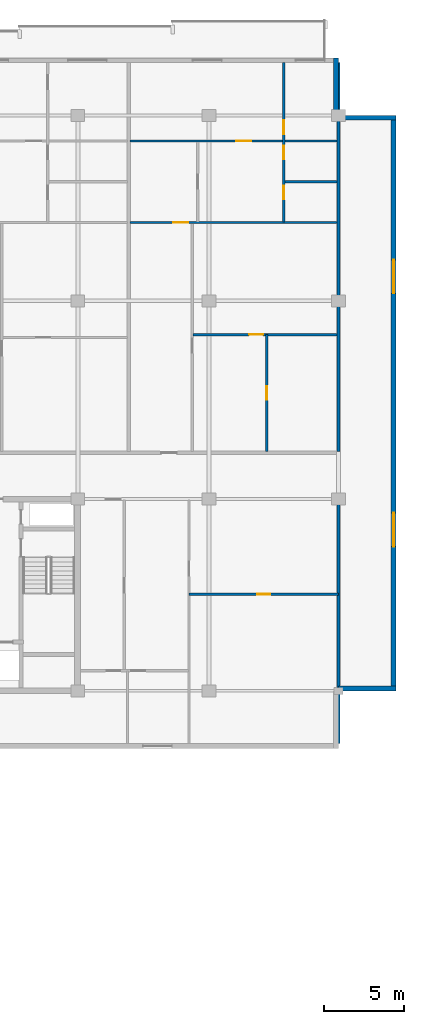
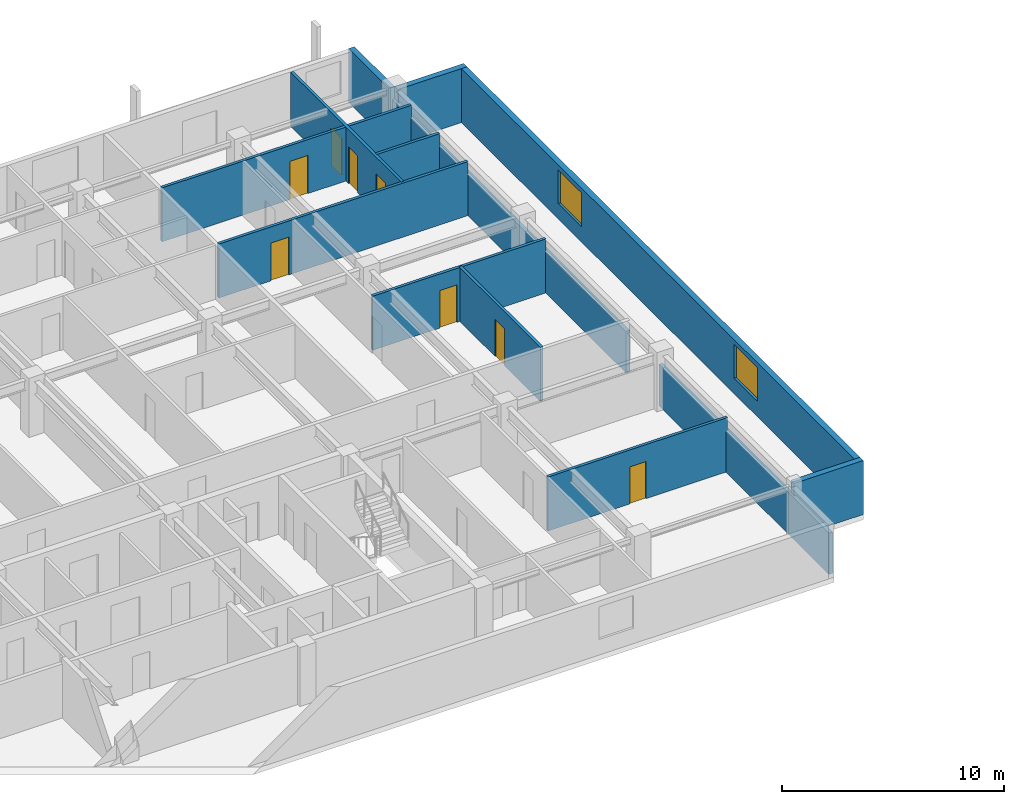
# One storey, part 16 of 22: 13 walls, 8 doors, 2 windows, 10 openings.
"""IFC4 building model written with IfcOpenShell, lengths in metres."""

import ifcopenshell
import ifcopenshell.guid

model = None  # the IFC model being written
_history = None  # IfcOwnerHistory: only IFC2X3 demands one
_inside = {}  # id of a spatial element -> (the spatial element, [elements in it])
_under = {}  # id of a project, library or spatial element -> (it, [spatial elements below it])
_declared = {}  # id of a project -> (the project, [libraries it declares])
_typed = {}  # id of a type object -> (the type object, [elements of that type])
_made_of = {}  # id of a material, layer set ... -> (it, [elements and type objects made of it])


def new_model(schema):
    """Start an empty IFC model of exactly this schema.

    Asked for "IFC4X3", IfcOpenShell would pick the latest addendum, in which some entities
    have other attributes; the version numbers below select the first issue.
    IFC2X3 requires an IfcOwnerHistory on every rooted entity: one is made here for all.
    """
    global model, _history
    if schema == "IFC4X3":
        model = ifcopenshell.file(schema_version=(4, 3, 0, 0))
    else:
        model = ifcopenshell.file(schema=schema)
    _inside.clear()
    _under.clear()
    _declared.clear()
    _typed.clear()
    _made_of.clear()
    _history = None
    if model.schema == "IFC2X3":
        org = make("IfcOrganization", Name="unknown")
        user = make(
            "IfcPersonAndOrganization",
            ThePerson=make("IfcPerson", FamilyName="unknown"),
            TheOrganization=org,
        )
        app = make(
            "IfcApplication",
            ApplicationDeveloper=org,
            Version="unknown",
            ApplicationFullName="unknown",
            ApplicationIdentifier="unknown",
        )
        _history = make(
            "IfcOwnerHistory",
            OwningUser=user,
            OwningApplication=app,
            ChangeAction="ADDED",
            CreationDate=0,
        )
    return model


def make(cls, **values):
    """One entity of the class cls with the attributes given. An attribute that is None is left unset."""
    return model.create_entity(
        cls, **{name: value for name, value in values.items() if value is not None}
    )


def rooted(cls, **values):
    """An entity with a GlobalId (a new one), such as an element, a storey or a relation."""
    return make(cls, GlobalId=ifcopenshell.guid.new(), OwnerHistory=_history, **values)


def si_unit(unit_type, name, prefix=None):
    """IfcSIUnit, for example si_unit("LENGTHUNIT", "METRE", prefix="MILLI")."""
    return make("IfcSIUnit", UnitType=unit_type, Prefix=prefix, Name=name)


def assignment(units):
    """IfcUnitAssignment: the units of a project."""
    return None if units is None else make("IfcUnitAssignment", Units=units)


def point(xyz):
    """IfcCartesianPoint."""
    return None if xyz is None else make("IfcCartesianPoint", Coordinates=xyz)


def direction(xyz):
    """IfcDirection."""
    return None if xyz is None else make("IfcDirection", DirectionRatios=xyz)


def frame(location, z_axis=None, x_axis=None):
    """IfcAxis2Placement3D, a coordinate frame: its origin and axes. An axis left out is left unset."""
    return make(
        "IfcAxis2Placement3D",
        Location=point(location),
        Axis=direction(z_axis),
        RefDirection=direction(x_axis),
    )


def frame_2d(location, x_axis=None):
    """IfcAxis2Placement2D, a coordinate frame in the plane: its origin and x axis."""
    return make(
        "IfcAxis2Placement2D", Location=point(location), RefDirection=direction(x_axis)
    )


def origin():
    """The frame at (0, 0, 0) with its axes left unset."""
    return frame((0.0, 0.0, 0.0))


def place(relative_to, where):
    """IfcLocalPlacement: puts the frame where relative to a parent placement (None: the world)."""
    return make(
        "IfcLocalPlacement", PlacementRelTo=relative_to, RelativePlacement=where
    )


def context(
    kind, dimensions, precision=None, world=None, true_north=None, identifier=None
):
    """IfcGeometricRepresentationContext, for example the 3D "Model" context."""
    return make(
        "IfcGeometricRepresentationContext",
        ContextIdentifier=identifier,
        ContextType=kind,
        CoordinateSpaceDimension=dimensions,
        Precision=precision,
        WorldCoordinateSystem=world,
        TrueNorth=true_north,
    )


def subcontext(parent, identifier, kind, view, scale=None):
    """IfcGeometricRepresentationSubContext, for example "Body" below "Model"."""
    return make(
        "IfcGeometricRepresentationSubContext",
        ContextIdentifier=identifier,
        ContextType=kind,
        ParentContext=parent,
        TargetScale=scale,
        TargetView=view,
    )


def project(units=None, contexts=None):
    """IfcProject with its units and contexts."""
    return rooted(
        "IfcProject",
        Name="project",
        RepresentationContexts=contexts,
        UnitsInContext=assignment(units),
    )


def spatial(cls, under=None, at=None, **own):
    """A site, building, storey or space (cls), placed at a placement, below another one or the project."""
    s = rooted(cls, ObjectPlacement=at, **own)
    if under is not None:
        _under.setdefault(under.id(), (under, []))[1].append(s)
    return s


def profile(cls, at=None, kind="AREA", **sizes):
    """A parametric profile (cls). Its sizes go by their IFC names, for example OverallWidth=200.0."""
    return make(cls, ProfileType=kind, Position=at, **sizes)


def rectangle(**sizes):
    """IfcRectangleProfileDef."""
    return profile("IfcRectangleProfileDef", **sizes)


def extrude(swept, where, along, depth):
    """IfcExtrudedAreaSolid: the profile swept, set in the frame where, extruded along a direction by depth."""
    return make(
        "IfcExtrudedAreaSolid",
        SweptArea=swept,
        Position=where,
        ExtrudedDirection=direction(along),
        Depth=depth,
    )


def shape(context_of_items, identifier, shape_type, items):
    """IfcShapeRepresentation: the items that make up one representation, for example the "Body"."""
    return make(
        "IfcShapeRepresentation",
        ContextOfItems=context_of_items,
        RepresentationIdentifier=identifier,
        RepresentationType=shape_type,
        Items=items,
    )


def material(Name=None, Category=None):
    """IfcMaterial."""
    return make("IfcMaterial", Name=Name, Category=Category)


def layer(
    of_material, thickness, ventilated=None, Name=None, Category=None, Priority=None
):
    """IfcMaterialLayer: one layer of a wall or slab, of a material (None: an air gap)."""
    return make(
        "IfcMaterialLayer",
        Material=of_material,
        LayerThickness=thickness,
        IsVentilated=ventilated,
        Name=Name,
        Category=Category,
        Priority=Priority,
    )


def layer_set(layers, Name=None):
    """IfcMaterialLayerSet."""
    return make("IfcMaterialLayerSet", MaterialLayers=layers, LayerSetName=Name)


def made_of(thing, what):
    """Note that an element or type object is made of a material, layer set ...; save() writes the relation."""
    if what is not None:
        _made_of.setdefault(what.id(), (what, []))[1].append(thing)
    return thing


def type_object(cls, material=None, **own):
    """A type object (cls), such as IfcWallType, which elements share."""
    return made_of(rooted(cls, **own), material)


def element(
    cls,
    number,
    at=None,
    inside=None,
    cuts=None,
    type_object=None,
    material=None,
    context=None,
    identifier="Body",
    shape_type=None,
    held_by="IfcProductDefinitionShape",
    body=None,
    shapes=None,
    **own,
):
    """One element of the class cls, such as IfcWall. Its Tag is "e" and its number.

    at: its placement. inside: the storey or other place that contains it. cuts: it is an
    opening in that element (IfcRelVoidsElement). A single representation is given by context,
    identifier, shape_type and body (its items); several are given by shapes. held_by: the class
    of the entity that holds the representations. save() writes the other relations.
    """
    e = rooted(cls, Tag="e%d" % number, ObjectPlacement=at, **own)
    if body is not None:
        shapes = [shape(context, identifier, shape_type, body)]
    if shapes is not None:
        e.Representation = make(held_by, Representations=shapes)
    if inside is not None:
        _inside.setdefault(inside.id(), (inside, []))[1].append(e)
    if cuts is not None:
        rooted(
            "IfcRelVoidsElement", RelatingBuildingElement=cuts, RelatedOpeningElement=e
        )
    if type_object is not None:
        _typed.setdefault(type_object.id(), (type_object, []))[1].append(e)
    return made_of(e, material)


def fill(opening, filler):
    """IfcRelFillsElement: the door or window that sits in an opening."""
    return rooted(
        "IfcRelFillsElement",
        RelatingOpeningElement=opening,
        RelatedBuildingElement=filler,
    )


def aggregate(whole, parts):
    """IfcRelAggregates: a whole, such as a stair, and the parts it consists of."""
    return rooted("IfcRelAggregates", RelatingObject=whole, RelatedObjects=parts)


def save(model, path):
    """Write the relations noted so far, then the file.

    IfcRelAggregates (storeys below a building ...), IfcRelContainedInSpatialStructure (elements
    in a storey), IfcRelDefinesByType, IfcRelAssociatesMaterial and IfcRelDeclares: one each for
    every whole, place, type object, material and project.
    """
    for whole, parts in _under.values():
        aggregate(whole, parts)
    for where, things in _inside.values():
        rooted(
            "IfcRelContainedInSpatialStructure",
            RelatedElements=things,
            RelatingStructure=where,
        )
    for kind, things in _typed.values():
        rooted("IfcRelDefinesByType", RelatedObjects=things, RelatingType=kind)
    for what, things in _made_of.values():
        rooted("IfcRelAssociatesMaterial", RelatedObjects=things, RelatingMaterial=what)
    for by, libraries in _declared.values():
        rooted("IfcRelDeclares", RelatingContext=by, RelatedDefinitions=libraries)
    model.write(path)


model = new_model("IFC4")

# Units and contexts
model_context = context("Model", 3, precision=1e-05, world=origin(), true_north=direction((0.0, 1.0)))
body_context = subcontext(model_context, "Body", "Model", "MODEL_VIEW")
ifc_project = project(units=[si_unit("LENGTHUNIT", "METRE"), si_unit("AREAUNIT", "SQUARE_METRE"), si_unit("VOLUMEUNIT", "CUBIC_METRE"), si_unit("PLANEANGLEUNIT", "RADIAN"), si_unit("MASSUNIT", "GRAM", prefix="KILO")], contexts=[model_context])

# Site, building, storey
site_placement = place(None, origin())
site = spatial("IfcSite", under=ifc_project, at=site_placement, CompositionType="ELEMENT")
building_placement = place(site_placement, origin())
building = spatial("IfcBuilding", under=site, at=building_placement, Name="Korimba Cascade Residences", CompositionType="ELEMENT")
storey_placement = place(building_placement, frame((0.0, 0.0, 181.60009765625)))
storey = spatial("IfcBuildingStorey", under=building, at=storey_placement, Name="L52", CompositionType="ELEMENT", Elevation=181.60009765625)

# Wall
ifc_material_1 = material(Name="Precast concrete C40/50", Category="concrete")
ifc_layer_1 = layer(ifc_material_1, 0.300048828125)
ifc_layer_set_1 = layer_set([ifc_layer_1], Name="Precast concrete C40/50")
wall_type_1 = type_object("IfcWallType", Name="EW-STONE-300", PredefinedType="STANDARD", material=ifc_layer_set_1)
wall_1_placement = place(storey_placement, frame((128.39990234375, 55.35009765625, 0.0), z_axis=(0.0, 0.0, 1.0), x_axis=(1.0, 0.0, 0.0)))
element("IfcWall", 1, at=wall_1_placement, inside=storey, type_object=wall_type_1, Name="L52 T1 Perimeter Stone Wall E02", PredefinedType="STANDARD", context=body_context, shape_type="SweptSolid", body=[
    extrude(rectangle(XDim=3.60009765625, YDim=0.300048828125, at=frame_2d((1.800048828125, 0.0))), origin(), (0.0, 0.0, 1.0), 2.969970703125),
])

# Wall, openings, windows
wall_2_placement = place(storey_placement, frame((131.85009765625, 55.199951171875, 0.0), z_axis=(0.0, 0.0, 1.0), x_axis=(0.0, 1.0, 0.0)))
wall_2 = element("IfcWall", 2, at=wall_2_placement, inside=storey, type_object=wall_type_1, Name="L52 T1 Perimeter Stone Wall E03", PredefinedType="STANDARD", context=body_context, shape_type="SweptSolid", body=[
    extrude(rectangle(XDim=36.0, YDim=0.300048828125, at=frame_2d((18.0, 0.0))), origin(), (0.0, 0.0, 1.0), 2.969970703125),
])
opening_1_placement = place(wall_2_placement, frame((9.030029296875, 0.0, 0.85009765625)))
opening_1 = element("IfcOpeningElement", 3, at=opening_1_placement, cuts=wall_2, Name="Opening W-03", PredefinedType="OPENING", context=body_context, shape_type="SweptSolid", body=[
    extrude(rectangle(XDim=2.10009765625, YDim=1.85009765625, at=frame_2d((1.050048828125, 0.925048828125))), frame((0.0, 0.16015625, 0.0), z_axis=(0.0, -1.0, 0.0), x_axis=(1.0, 0.0, 0.0)), (0.0, 0.0, 1.0), 0.320068359375),
])
opening_2_placement = place(wall_2_placement, frame((24.8701171875, 0.0, 0.85009765625)))
opening_2 = element("IfcOpeningElement", 4, at=opening_2_placement, cuts=wall_2, Name="Opening W-03", PredefinedType="OPENING", context=body_context, shape_type="SweptSolid", body=[
    extrude(rectangle(XDim=2.10009765625, YDim=1.85009765625, at=frame_2d((1.050048828125, 0.925048828125))), frame((0.0, 0.16015625, 0.0), z_axis=(0.0, -1.0, 0.0), x_axis=(1.0, 0.0, 0.0)), (0.0, 0.0, 1.0), 0.320068359375),
])
ifc_material_2 = material(Name="Double-Glazed Aluminium Window", Category="aluminium")
window_type = type_object("IfcWindowType", Name="WIN-CRN-2100", PartitioningType="DOUBLE_PANEL_HORIZONTAL", PredefinedType="WINDOW", material=ifc_material_2)
window_1_placement = place(opening_1_placement, origin())
window_1 = element("IfcWindow", 5, at=window_1_placement, inside=storey, type_object=window_type, Name="L52 T1 End View Window 3.1", OverallHeight=1.85009765625, OverallWidth=2.10009765625, PartitioningType="DOUBLE_PANEL_HORIZONTAL", PredefinedType="WINDOW", context=body_context, shape_type="SweptSolid", body=[
    extrude(rectangle(XDim=2.10009765625, YDim=1.85009765625, at=frame_2d((1.050048828125, 0.925048828125))), frame((0.0, 0.030029296875, 0.0), z_axis=(0.0, -1.0, 0.0), x_axis=(1.0, 0.0, 0.0)), (0.0, 0.0, 1.0), 0.06005859375),
])
fill(opening_1, window_1)
window_2_placement = place(opening_2_placement, origin())
window_2 = element("IfcWindow", 6, at=window_2_placement, inside=storey, type_object=window_type, Name="L52 T1 End View Window 3.2", OverallHeight=1.85009765625, OverallWidth=2.10009765625, PartitioningType="DOUBLE_PANEL_HORIZONTAL", PredefinedType="WINDOW", context=body_context, shape_type="SweptSolid", body=[
    extrude(rectangle(XDim=2.10009765625, YDim=1.85009765625, at=frame_2d((1.050048828125, 0.925048828125))), frame((0.0, 0.030029296875, 0.0), z_axis=(0.0, -1.0, 0.0), x_axis=(1.0, 0.0, 0.0)), (0.0, 0.0, 1.0), 0.06005859375),
])
fill(opening_2, window_2)

# Walls
for number, where, z_axis, x_axis, name in (
    (7, (132.0, 91.050048828125, 0.0), (0.0, 0.0, 1.0), (-1.0, 0.0, 0.0), "L52 T1 Perimeter Stone Wall E04"),
    (8, (128.25, 91.199951171875, 0.0), (0.0, 0.0, 1.0), (0.0, 1.0, 0.0), "L52 T1 Perimeter Stone Wall E05"),
):
    element("IfcWall", number, at=place(storey_placement, frame(where, z_axis=z_axis, x_axis=x_axis)), inside=storey, type_object=wall_type_1, Name=name, PredefinedType="STANDARD", context=body_context, shape_type="SweptSolid", body=[
        extrude(rectangle(XDim=3.60009765625, YDim=0.300048828125, at=frame_2d((1.800048828125, 0.0))), origin(), (0.0, 0.0, 1.0), 2.969970703125),
    ])
ifc_layer_2 = layer(ifc_material_1, 0.199951171875)
ifc_layer_set_2 = layer_set([ifc_layer_2], Name="Precast concrete C40/50")
wall_type_2 = type_object("IfcWallType", Name="WAL-IT-200", PredefinedType="PARTITIONING", material=ifc_layer_set_2)
wall_3_placement = place(storey_placement, frame((128.39990234375, 51.89990234375, 0.0), z_axis=(0.0, 0.0, 1.0), x_axis=(0.0, 1.0, 0.0)))
element("IfcWall", 9, at=wall_3_placement, inside=storey, type_object=wall_type_2, Name="L52 Partition Wall WAL-L52-T1-FE-WR", PredefinedType="PARTITIONING", context=body_context, shape_type="SweptSolid", body=[
    extrude(rectangle(XDim=15.300048828125, YDim=0.199951171875, at=frame_2d((7.64990234375, 0.0))), origin(), (0.0, 0.0, 1.0), 2.277099609375),
])
wall_4_placement = place(storey_placement, frame((128.39990234375, 70.179931640625, 0.0), z_axis=(0.0, 0.0, 1.0), x_axis=(0.0, 1.0, 0.0)))
element("IfcWall", 10, at=wall_4_placement, inside=storey, type_object=wall_type_2, Name="L52 Partition Wall WAL-L52-T1-BNDWR", PredefinedType="PARTITIONING", context=body_context, shape_type="SweptSolid", body=[
    extrude(rectangle(XDim=24.320068359375, YDim=0.199951171875, at=frame_2d((12.16015625, 0.0))), origin(), (0.0, 0.0, 1.0), 2.277099609375),
])

# Wall, opening, door
ifc_material_3 = material(Name="Insulated Acoustic Stud Partition", Category="gypsum")
ifc_layer_3 = layer(ifc_material_3, 0.14990234375)
ifc_layer_set_3 = layer_set([ifc_layer_3], Name="Insulated Acoustic Stud Partition")
wall_type_3 = type_object("IfcWallType", Name="WAL-PART-150", PredefinedType="PARTITIONING", material=ifc_layer_set_3)
wall_5_placement = place(storey_placement, frame((119.050048828125, 61.25, 0.0), z_axis=(0.0, 0.0, 1.0), x_axis=(1.0, 0.0, 0.0)))
wall_5 = element("IfcWall", 11, at=wall_5_placement, inside=storey, type_object=wall_type_3, Name="L52 Partition Wall WAL-L52-T1-FE-STH", PredefinedType="PARTITIONING", context=body_context, shape_type="SweptSolid", body=[
    extrude(rectangle(XDim=9.349853515625, YDim=0.14990234375, at=frame_2d((4.6748046875, 0.0))), origin(), (0.0, 0.0, 1.0), 2.969970703125),
])
opening_3_placement = place(wall_5_placement, frame((4.2548828125, 0.0, 0.0)))
opening_3 = element("IfcOpeningElement", 12, at=opening_3_placement, cuts=wall_5, Name="Opening D-BT1", PredefinedType="OPENING", context=body_context, shape_type="SweptSolid", body=[
    extrude(rectangle(XDim=0.840087890625, YDim=2.0400390625, at=frame_2d((0.419921875, 1.02001953125))), frame((0.0, 0.0849609375, 0.0), z_axis=(0.0, -1.0, 0.0), x_axis=(1.0, 0.0, 0.0)), (0.0, 0.0, 1.0), 0.169921875),
])
ifc_material_4 = material(Name="Moisture-Resistant Bathroom Timber Door", Category="wood")
door_type_1 = type_object("IfcDoorType", Name="DR-INT-850", OperationType="NOTDEFINED", PredefinedType="DOOR", material=ifc_material_4)
door_1_placement = place(opening_3_placement, origin())
door_1 = element("IfcDoor", 13, at=door_1_placement, inside=storey, type_object=door_type_1, Name="L52-T1-FE Dressing Store Door", OperationType="SINGLE_SWING_RIGHT", OverallHeight=2.0400390625, OverallWidth=0.840087890625, PredefinedType="DOOR", context=body_context, shape_type="SweptSolid", body=[
    extrude(rectangle(XDim=0.840087890625, YDim=2.0400390625, at=frame_2d((0.419921875, 1.02001953125))), frame((0.0, 0.02490234375, 0.0), z_axis=(0.0, -1.0, 0.0), x_axis=(1.0, 0.0, 0.0)), (0.0, 0.0, 1.0), 0.050048828125),
])
fill(opening_3, door_1)

wall_6_placement = place(storey_placement, frame((123.913818359375, 70.159912109375, 0.0), z_axis=(0.0, 0.0, 1.0), x_axis=(0.0, 1.0, 0.0)))
wall_6 = element("IfcWall", 14, at=wall_6_placement, inside=storey, type_object=wall_type_3, Name="L52 Partition Wall WAL-L52-T1-U05-FMV", PredefinedType="PARTITIONING", context=body_context, shape_type="SweptSolid", body=[
    extrude(rectangle(XDim=7.330078125, YDim=0.14990234375, at=frame_2d((3.6650390625, 0.0))), origin(), (0.0, 0.0, 1.0), 2.969970703125),
])
opening_4_placement = place(wall_6_placement, frame((3.2451171875, 0.0, 0.0)))
opening_4 = element("IfcOpeningElement", 15, at=opening_4_placement, cuts=wall_6, Name="Opening D-BT1", PredefinedType="OPENING", context=body_context, shape_type="SweptSolid", body=[
    extrude(rectangle(XDim=0.840087890625, YDim=2.0400390625, at=frame_2d((0.419921875, 1.02001953125))), frame((0.0, 0.0849609375, 0.0), z_axis=(0.0, -1.0, 0.0), x_axis=(1.0, 0.0, 0.0)), (0.0, 0.0, 1.0), 0.169921875),
])
door_2_placement = place(opening_4_placement, origin())
door_2 = element("IfcDoor", 16, at=door_2_placement, inside=storey, type_object=door_type_1, Name="L52-T1-U05 Wardrobe Door", OperationType="SINGLE_SWING_RIGHT", OverallHeight=2.0400390625, OverallWidth=0.840087890625, PredefinedType="DOOR", context=body_context, shape_type="SweptSolid", body=[
    extrude(rectangle(XDim=0.840087890625, YDim=2.0400390625, at=frame_2d((0.419921875, 1.02001953125))), frame((0.0, 0.02490234375, 0.0), z_axis=(0.0, -1.0, 0.0), x_axis=(1.0, 0.0, 0.0)), (0.0, 0.0, 1.0), 0.050048828125),
])
fill(opening_4, door_2)

wall_7_placement = place(storey_placement, frame((119.307373046875, 77.489990234375, 0.0), z_axis=(0.0, 0.0, 1.0), x_axis=(1.0, 0.0, 0.0)))
wall_7 = element("IfcWall", 17, at=wall_7_placement, inside=storey, type_object=wall_type_3, Name="L52 Partition Wall WAL-L52-T1-U05-FMH", PredefinedType="PARTITIONING", context=body_context, shape_type="SweptSolid", body=[
    extrude(rectangle(XDim=9.0126953125, YDim=0.14990234375, at=frame_2d((4.50634765625, 0.0))), origin(), (0.0, 0.0, 1.0), 2.969970703125),
])
opening_5_placement = place(wall_7_placement, frame((3.50634765625, 0.0, 0.0)))
opening_5 = element("IfcOpeningElement", 18, at=opening_5_placement, cuts=wall_7, Name="Opening D-IN2", PredefinedType="OPENING", context=body_context, shape_type="SweptSolid", body=[
    extrude(rectangle(XDim=0.8798828125, YDim=2.06005859375, at=frame_2d((0.43994140625, 1.030029296875))), frame((0.0, 0.0849609375, 0.0), z_axis=(0.0, -1.0, 0.0), x_axis=(1.0, 0.0, 0.0)), (0.0, 0.0, 1.0), 0.169921875),
])
ifc_material_5 = material(Name="Acoustic Timber Bedroom Door", Category="wood")
door_type_2 = type_object("IfcDoorType", Name="DR-INT-880", OperationType="NOTDEFINED", PredefinedType="DOOR", material=ifc_material_5)
door_3_placement = place(opening_5_placement, origin())
door_3 = element("IfcDoor", 19, at=door_3_placement, inside=storey, type_object=door_type_2, Name="L52-T1-U05 Library Salon Door", OperationType="SINGLE_SWING_LEFT", OverallHeight=2.06005859375, OverallWidth=0.8798828125, PredefinedType="DOOR", context=body_context, shape_type="SweptSolid", body=[
    extrude(rectangle(XDim=0.8798828125, YDim=2.06005859375, at=frame_2d((0.43994140625, 1.030029296875))), frame((0.0, 0.02490234375, 0.0), z_axis=(0.0, -1.0, 0.0), x_axis=(1.0, 0.0, 0.0)), (0.0, 0.0, 1.0), 0.050048828125),
])
fill(opening_5, door_3)

# Wall
wall_8_placement = place(storey_placement, frame((125.0400390625, 87.0400390625, 0.0), z_axis=(0.0, 0.0, 1.0), x_axis=(1.0, 0.0, 0.0)))
element("IfcWall", 20, at=wall_8_placement, inside=storey, type_object=wall_type_3, Name="L52 Partition Wall WAL-L52-T1-U05-BLDIV", PredefinedType="PARTITIONING", context=body_context, shape_type="SweptSolid", body=[
    extrude(rectangle(XDim=3.280029296875, YDim=0.14990234375, at=frame_2d((1.64013671875, 0.0))), origin(), (0.0, 0.0, 1.0), 2.969970703125),
])

# Wall, openings, doors
wall_9_placement = place(storey_placement, frame((124.97998046875, 84.5400390625, 0.0), z_axis=(0.0, 0.0, 1.0), x_axis=(0.0, 1.0, 0.0)))
wall_9 = element("IfcWall", 21, at=wall_9_placement, inside=storey, type_object=wall_type_3, Name="L52 Partition Wall WAL-L52-T1-U05-V1", PredefinedType="PARTITIONING", context=body_context, shape_type="SweptSolid", body=[
    extrude(rectangle(XDim=9.9599609375, YDim=0.14990234375, at=frame_2d((4.97998046875, 0.0))), origin(), (0.0, 0.0, 1.0), 2.969970703125),
])
opening_6_placement = place(wall_9_placement, frame((1.430419921875, 0.0, 0.0)))
opening_6 = element("IfcOpeningElement", 22, at=opening_6_placement, cuts=wall_9, Name="Opening D-BT1", PredefinedType="OPENING", context=body_context, shape_type="SweptSolid", body=[
    extrude(rectangle(XDim=0.840087890625, YDim=2.0400390625, at=frame_2d((0.419921875, 1.02001953125))), frame((0.0, 0.0849609375, 0.0), z_axis=(0.0, -1.0, 0.0), x_axis=(1.0, 0.0, 0.0)), (0.0, 0.0, 1.0), 0.169921875),
])
opening_7_placement = place(wall_9_placement, frame((3.919921875, 0.0, 0.0)))
opening_7 = element("IfcOpeningElement", 23, at=opening_7_placement, cuts=wall_9, Name="Opening D-BT1", PredefinedType="OPENING", context=body_context, shape_type="SweptSolid", body=[
    extrude(rectangle(XDim=0.840087890625, YDim=2.0400390625, at=frame_2d((0.419921875, 1.02001953125))), frame((0.0, 0.0849609375, 0.0), z_axis=(0.0, -1.0, 0.0), x_axis=(1.0, 0.0, 0.0)), (0.0, 0.0, 1.0), 0.169921875),
])
opening_8_placement = place(wall_9_placement, frame((5.47998046875, 0.0, 0.0)))
opening_8 = element("IfcOpeningElement", 24, at=opening_8_placement, cuts=wall_9, Name="Opening D-IN2", PredefinedType="OPENING", context=body_context, shape_type="SweptSolid", body=[
    extrude(rectangle(XDim=0.8798828125, YDim=2.06005859375, at=frame_2d((0.43994140625, 1.030029296875))), frame((0.0, 0.0849609375, 0.0), z_axis=(0.0, -1.0, 0.0), x_axis=(1.0, 0.0, 0.0)), (0.0, 0.0, 1.0), 0.169921875),
])
door_4_placement = place(opening_6_placement, origin())
door_4 = element("IfcDoor", 25, at=door_4_placement, inside=storey, type_object=door_type_1, Name="L52-T1-U05 Bathroom Door", OperationType="SINGLE_SWING_RIGHT", OverallHeight=2.0400390625, OverallWidth=0.840087890625, PredefinedType="DOOR", context=body_context, shape_type="SweptSolid", body=[
    extrude(rectangle(XDim=0.840087890625, YDim=2.0400390625, at=frame_2d((0.419921875, 1.02001953125))), frame((0.0, 0.02490234375, 0.0), z_axis=(0.0, -1.0, 0.0), x_axis=(1.0, 0.0, 0.0)), (0.0, 0.0, 1.0), 0.050048828125),
])
fill(opening_6, door_4)
door_5_placement = place(opening_7_placement, origin())
door_5 = element("IfcDoor", 26, at=door_5_placement, inside=storey, type_object=door_type_1, Name="L52-T1-U05 Laundry Door", OperationType="SINGLE_SWING_LEFT", OverallHeight=2.0400390625, OverallWidth=0.840087890625, PredefinedType="DOOR", context=body_context, shape_type="SweptSolid", body=[
    extrude(rectangle(XDim=0.840087890625, YDim=2.0400390625, at=frame_2d((0.419921875, 1.02001953125))), frame((0.0, 0.02490234375, 0.0), z_axis=(0.0, -1.0, 0.0), x_axis=(1.0, 0.0, 0.0)), (0.0, 0.0, 1.0), 0.050048828125),
])
fill(opening_7, door_5)
door_6_placement = place(opening_8_placement, origin())
door_6 = element("IfcDoor", 27, at=door_6_placement, inside=storey, type_object=door_type_2, Name="L52-T1-U05 Bedroom 1 Door", OperationType="SINGLE_SWING_RIGHT", OverallHeight=2.06005859375, OverallWidth=0.8798828125, PredefinedType="DOOR", context=body_context, shape_type="SweptSolid", body=[
    extrude(rectangle(XDim=0.8798828125, YDim=2.06005859375, at=frame_2d((0.43994140625, 1.030029296875))), frame((0.0, 0.02490234375, 0.0), z_axis=(0.0, -1.0, 0.0), x_axis=(1.0, 0.0, 0.0)), (0.0, 0.0, 1.0), 0.050048828125),
])
fill(opening_8, door_6)

# Wall, opening, door
wall_10_placement = place(storey_placement, frame((115.357421875, 84.5, 0.0), z_axis=(0.0, 0.0, 1.0), x_axis=(1.0, 0.0, 0.0)))
wall_10 = element("IfcWall", 28, at=wall_10_placement, inside=storey, type_object=wall_type_3, Name="L52 Partition Wall WAL-L52-T1-U05-MW", PredefinedType="PARTITIONING", context=body_context, shape_type="SweptSolid", body=[
    extrude(rectangle(XDim=12.962646484375, YDim=0.14990234375, at=frame_2d((6.4814453125, 0.0))), origin(), (0.0, 0.0, 1.0), 2.969970703125),
])
opening_9_placement = place(wall_10_placement, frame((2.719970703125, 0.0, 0.0)))
opening_9 = element("IfcOpeningElement", 29, at=opening_9_placement, cuts=wall_10, Name="Opening D-IN1", PredefinedType="OPENING", context=body_context, shape_type="SweptSolid", body=[
    extrude(rectangle(XDim=0.919921875, YDim=2.080078125, at=frame_2d((0.4599609375, 1.0400390625))), frame((0.0, 0.0849609375, 0.0), z_axis=(0.0, -1.0, 0.0), x_axis=(1.0, 0.0, 0.0)), (0.0, 0.0, 1.0), 0.169921875),
])
ifc_material_6 = material(Name="Acoustic Timber Living Door", Category="wood")
door_type_3 = type_object("IfcDoorType", Name="DR-INT-920", OperationType="NOTDEFINED", PredefinedType="DOOR", material=ifc_material_6)
door_7_placement = place(opening_9_placement, origin())
door_7 = element("IfcDoor", 30, at=door_7_placement, inside=storey, type_object=door_type_3, Name="L52-T1-U05 Kitchen Archway Door", OperationType="SINGLE_SWING_LEFT", OverallHeight=2.080078125, OverallWidth=0.919921875, PredefinedType="DOOR", context=body_context, shape_type="SweptSolid", body=[
    extrude(rectangle(XDim=0.919921875, YDim=2.080078125, at=frame_2d((0.4599609375, 1.0400390625))), frame((0.0, 0.02490234375, 0.0), z_axis=(0.0, -1.0, 0.0), x_axis=(1.0, 0.0, 0.0)), (0.0, 0.0, 1.0), 0.050048828125),
])
fill(opening_9, door_7)

wall_11_placement = place(storey_placement, frame((115.357421875, 89.60009765625, 0.0), z_axis=(0.0, 0.0, 1.0), x_axis=(1.0, 0.0, 0.0)))
wall_11 = element("IfcWall", 31, at=wall_11_placement, inside=storey, type_object=wall_type_3, Name="L52 Partition Wall WAL-L52-T1-U05-HZ", PredefinedType="PARTITIONING", context=body_context, shape_type="SweptSolid", body=[
    extrude(rectangle(XDim=12.962646484375, YDim=0.14990234375, at=frame_2d((6.4814453125, 0.0))), origin(), (0.0, 0.0, 1.0), 2.969970703125),
])
opening_10_placement = place(wall_11_placement, frame((6.632568359375, 0.0, 0.0)))
opening_10 = element("IfcOpeningElement", 32, at=opening_10_placement, cuts=wall_11, Name="Opening D-IN0", PredefinedType="OPENING", context=body_context, shape_type="SweptSolid", body=[
    extrude(rectangle(XDim=0.93994140625, YDim=2.10009765625, at=frame_2d((0.469970703125, 1.050048828125))), frame((0.0, 0.0849609375, 0.0), z_axis=(0.0, -1.0, 0.0), x_axis=(1.0, 0.0, 0.0)), (0.0, 0.0, 1.0), 0.169921875),
])
ifc_material_7 = material(Name="Acoustic Timber Living Archway Door", Category="wood")
door_type_4 = type_object("IfcDoorType", Name="DR-INT-950", OperationType="NOTDEFINED", PredefinedType="DOOR", material=ifc_material_7)
door_8_placement = place(opening_10_placement, origin())
door_8 = element("IfcDoor", 33, at=door_8_placement, inside=storey, type_object=door_type_4, Name="L52-T1-U05 Living Archway Door", OperationType="SINGLE_SWING_RIGHT", OverallHeight=2.10009765625, OverallWidth=0.93994140625, PredefinedType="DOOR", context=body_context, shape_type="SweptSolid", body=[
    extrude(rectangle(XDim=0.93994140625, YDim=2.10009765625, at=frame_2d((0.469970703125, 1.050048828125))), frame((0.0, 0.02490234375, 0.0), z_axis=(0.0, -1.0, 0.0), x_axis=(1.0, 0.0, 0.0)), (0.0, 0.0, 1.0), 0.050048828125),
])
fill(opening_10, door_8)

save(model, "model.ifc")
